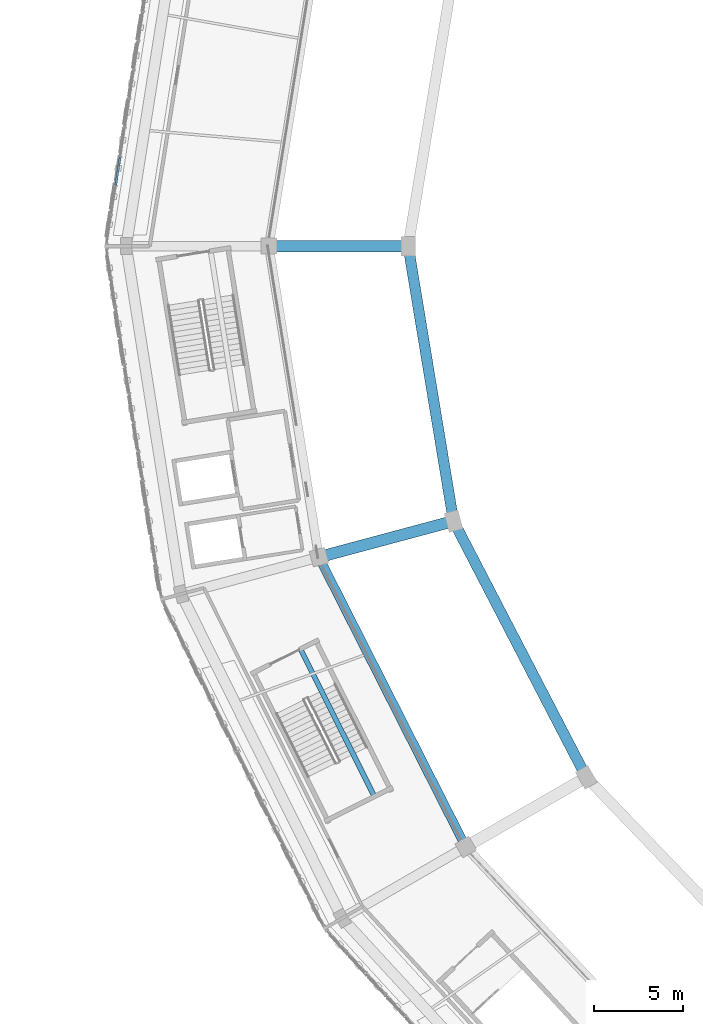
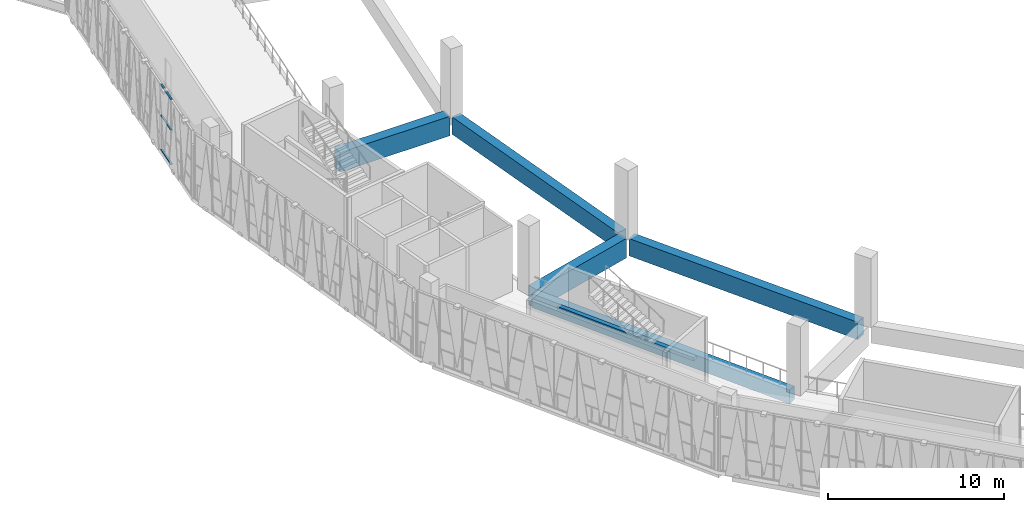
# One storey, part 14 of 108: 6 beams, 3 members, 1 element without a shape of its own.
"""IFC4 building model written with IfcOpenShell, lengths in metres."""

from ifc_helpers import new_model, si_unit, direction, frame, origin, origin_2d, place, context, subcontext, project, spatial, rectangle, extrude, material, material_profile, profile_set, type_object, element, aggregate, save


model = new_model("IFC4")

# Units and contexts
model_context = context("Model", 3, precision=1e-05, world=origin(), true_north=direction((0.0, 1.0)))
body_context = subcontext(model_context, "Body", "Model", "MODEL_VIEW")
ifc_project = project(units=[si_unit("LENGTHUNIT", "METRE"), si_unit("AREAUNIT", "SQUARE_METRE"), si_unit("VOLUMEUNIT", "CUBIC_METRE"), si_unit("PLANEANGLEUNIT", "RADIAN"), si_unit("MASSUNIT", "GRAM", prefix="KILO")], contexts=[model_context])

# Site, building, storey
site_placement = place(None, origin())
site = spatial("IfcSite", under=ifc_project, at=site_placement, CompositionType="ELEMENT")
building_placement = place(site_placement, origin())
building = spatial("IfcBuilding", under=site, at=building_placement, Name="Zevraka Park Crest Stadium", CompositionType="ELEMENT")
storey_placement = place(building_placement, frame((0.0, 0.0, 19.800048828125)))
storey = spatial("IfcBuildingStorey", under=building, at=storey_placement, Name="L04", CompositionType="ELEMENT", Elevation=19.800048828125)

# Beams
ifc_material_1 = material(Name="Concrete C40/50", Category="concrete")
ifc_material_profile_1 = material_profile(ifc_material_1, rectangle(XDim=0.64990234375, YDim=1.35009765625, at=origin_2d()), Name="RC 1350x650")
ifc_profile_set_1 = profile_set([ifc_material_profile_1], Name="Concrete C40/50")
beam_type_1 = type_object("IfcBeamType", Name="BG01", PredefinedType="BEAM", material=ifc_profile_set_1)
beam_1_placement = place(storey_placement, frame((37.199951171875, 92.0, -0.68505859375), z_axis=(-1.0, 0.0, 0.0), x_axis=(0.0, -1.0, 0.0)))
element("IfcBeam", 1, at=beam_1_placement, inside=storey, type_object=beam_type_1, Name="Radial Girder BG01 L04-BC-12", PredefinedType="BEAM", context=body_context, shape_type="SweptSolid", body=[
    extrude(rectangle(XDim=0.64990234375, YDim=1.35009765625, at=origin_2d()), origin(), (0.0, 0.0, 1.0), 7.199951171875),
])
beam_2_placement = place(storey_placement, frame((39.7490234375, 76.52197265625, -0.68505859375), z_axis=(-0.965945630245, -0.258745124417, 0.0), x_axis=(0.258745124417, -0.965945630245, 0.0)))
element("IfcBeam", 2, at=beam_2_placement, inside=storey, type_object=beam_type_1, Name="Radial Girder BG01 L04-BC-13", PredefinedType="BEAM", context=body_context, shape_type="SweptSolid", body=[
    extrude(rectangle(XDim=0.64990234375, YDim=1.35009765625, at=origin_2d()), origin(), (0.0, 0.0, 1.0), 7.2001953125),
])

# Curtain wall, members
ifc_material_2 = material(Name="Anodised architectural aluminium and laminated safety glass", Category="aluminium")
curtain_wall_type = type_object("IfcCurtainWallType", Name="CW16", PredefinedType="NOTDEFINED", material=ifc_material_2)
curtain_wall_placement = place(storey_placement, origin())
curtain_wall = element("IfcCurtainWall", 3, at=curtain_wall_placement, inside=storey, type_object=curtain_wall_type, Name="Unitised Ring Curtain Wall CW16 L04-11", PredefinedType="NOTDEFINED")
ifc_material_3 = material(Name="Anodised architectural aluminium", Category="aluminium")
ifc_material_profile_2 = material_profile(ifc_material_3, rectangle(XDim=0.1201171875, YDim=0.06005859375, at=origin_2d()), Name="ALU TRANSOM 120x60")
ifc_profile_set_2 = profile_set([ifc_material_profile_2], Name="Anodised architectural aluminium")
member_type = type_object("IfcMemberType", Name="CT01", PredefinedType="USERDEFINED", material=ifc_profile_set_2)
member_1_placement = place(storey_placement, frame((21.36474609375, 96.97705078125, 0.030029296875), z_axis=(-0.155535954577, -0.987830231788, 0.0), x_axis=(0.987830231788, -0.155535954577, 0.0)))
member_1 = element("IfcMember", 4, at=member_1_placement, type_object=member_type, Name="CW16 transom 10.1", ObjectType="TRANSOM", PredefinedType="USERDEFINED", context=body_context, shape_type="SweptSolid", body=[
    extrude(rectangle(XDim=0.1201171875, YDim=0.06005859375, at=origin_2d()), origin(), (0.0, 0.0, 1.0), 1.5869140625),
])
member_2_placement = place(storey_placement, frame((21.36474609375, 96.97705078125, 2.39990234375), z_axis=(-0.155535954577, -0.987830231788, 0.0), x_axis=(0.987830231788, -0.155535954577, 0.0)))
member_2 = element("IfcMember", 5, at=member_2_placement, type_object=member_type, Name="CW16 transom 10.2", ObjectType="TRANSOM", PredefinedType="USERDEFINED", context=body_context, shape_type="SweptSolid", body=[
    extrude(rectangle(XDim=0.1201171875, YDim=0.06005859375, at=origin_2d()), origin(), (0.0, 0.0, 1.0), 1.5869140625),
])
member_3_placement = place(storey_placement, frame((21.36474609375, 96.97705078125, 4.510009765625), z_axis=(-0.155535954577, -0.987830231788, 0.0), x_axis=(0.987830231788, -0.155535954577, 0.0)))
member_3 = element("IfcMember", 6, at=member_3_placement, type_object=member_type, Name="CW16 transom 10.3", ObjectType="TRANSOM", PredefinedType="USERDEFINED", context=body_context, shape_type="SweptSolid", body=[
    extrude(rectangle(XDim=0.1201171875, YDim=0.06005859375, at=origin_2d()), origin(), (0.0, 0.0, 1.0), 1.5869140625),
])
aggregate(curtain_wall, [member_1, member_2, member_3])

# Beams
ifc_material_4 = material(Name="Concrete C40/50", Category="concrete")
ifc_material_profile_3 = material_profile(ifc_material_4, rectangle(XDim=0.60009765625, YDim=1.199951171875, at=origin_2d()), Name="RC 1200x600")
ifc_profile_set_3 = profile_set([ifc_material_profile_3], Name="Concrete C40/50")
beam_type_2 = type_object("IfcBeamType", Name="RB01", PredefinedType="BEAM", material=ifc_profile_set_3)
beam_3_placement = place(storey_placement, frame((37.56201171875, 91.625, -0.610107421875), z_axis=(0.162654875862, -0.986683024764, 0.0), x_axis=(0.986683024764, 0.162654875862, 0.0)))
element("IfcBeam", 7, at=beam_3_placement, inside=storey, type_object=beam_type_2, Name="Ring Beam RB01 L04-B-12", PredefinedType="BEAM", context=body_context, shape_type="SweptSolid", body=[
    extrude(rectangle(XDim=0.60009765625, YDim=1.199951171875, at=origin_2d()), origin(), (0.0, 0.0, 1.0), 14.84765625),
])
beam_4_placement = place(storey_placement, frame((40.214111328125, 76.262939453125, -0.610107421875), z_axis=(0.460343993973, -0.887740619333, 0.0), x_axis=(0.887740619333, 0.460343993973, 0.0)))
element("IfcBeam", 8, at=beam_4_placement, inside=storey, type_object=beam_type_2, Name="Ring Beam RB01 L04-B-13", PredefinedType="BEAM", context=body_context, shape_type="SweptSolid", body=[
    extrude(rectangle(XDim=0.60009765625, YDim=1.199951171875, at=origin_2d()), origin(), (0.0, 0.0, 1.0), 15.405517578125),
])
ifc_material_5 = material(Name="Concrete C40/50", Category="concrete")
ifc_material_profile_4 = material_profile(ifc_material_5, rectangle(XDim=0.5, YDim=0.949951171875, at=origin_2d()), Name="RC 950x500")
ifc_profile_set_4 = profile_set([ifc_material_profile_4], Name="Concrete C40/50")
beam_type_3 = type_object("IfcBeamType", Name="RB02", PredefinedType="BEAM", material=ifc_profile_set_4)
beam_5_placement = place(storey_placement, frame((32.676025390625, 74.241943359375, -0.485107421875), z_axis=(0.451862275442, -0.892087710953, 0.0), x_axis=(0.892087710953, 0.451862275442, 0.0)))
element("IfcBeam", 9, at=beam_5_placement, inside=storey, type_object=beam_type_3, Name="Ring Beam RB02 L04-C-13", PredefinedType="BEAM", context=body_context, shape_type="SweptSolid", body=[
    extrude(rectangle(XDim=0.5, YDim=0.949951171875, at=origin_2d()), origin(), (0.0, 0.0, 1.0), 17.434326171875),
])
ifc_material_6 = material(Name="Concrete C40/50", Category="concrete")
ifc_material_profile_5 = material_profile(ifc_material_6, rectangle(XDim=0.280029296875, YDim=0.199951171875, at=origin_2d()), Name="RC 200x280")
ifc_profile_set_5 = profile_set([ifc_material_profile_5], Name="Concrete C40/50")
beam_type_4 = type_object("IfcBeamType", Name="SJ13", PredefinedType="JOIST", material=ifc_profile_set_5)
beam_6_placement = place(storey_placement, frame((31.481201171875, 69.408447265625, 2.300048828125), z_axis=(0.447920796254, -0.894073241006, 0.0), x_axis=(0.894073241006, 0.447920796254, 0.0)))
element("IfcBeam", 10, at=beam_6_placement, inside=storey, type_object=beam_type_4, Name="Stair Upper-Flight Longitudinal Stringer SJ13 ST14-L04", PredefinedType="JOIST", context=body_context, shape_type="SweptSolid", body=[
    extrude(rectangle(XDim=0.280029296875, YDim=0.199951171875, at=origin_2d()), origin(), (0.0, 0.0, 1.0), 9.25),
])

save(model, "model.ifc")
